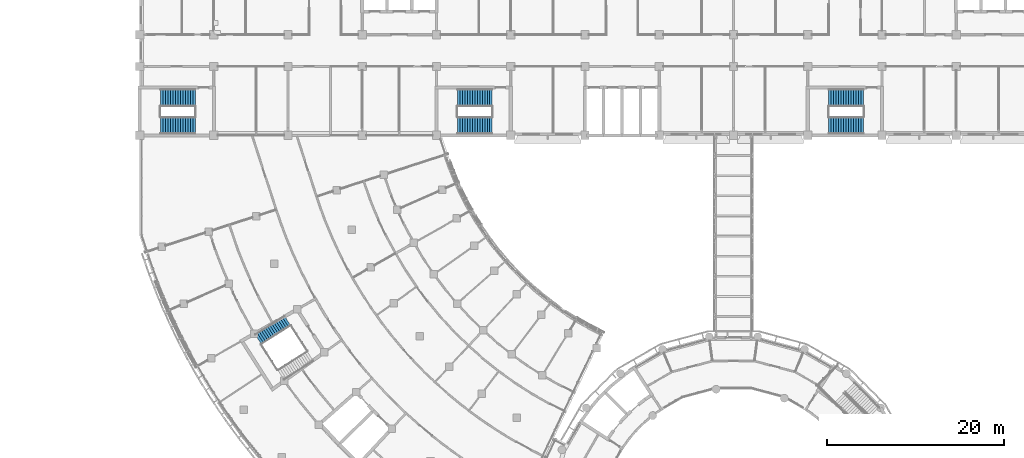
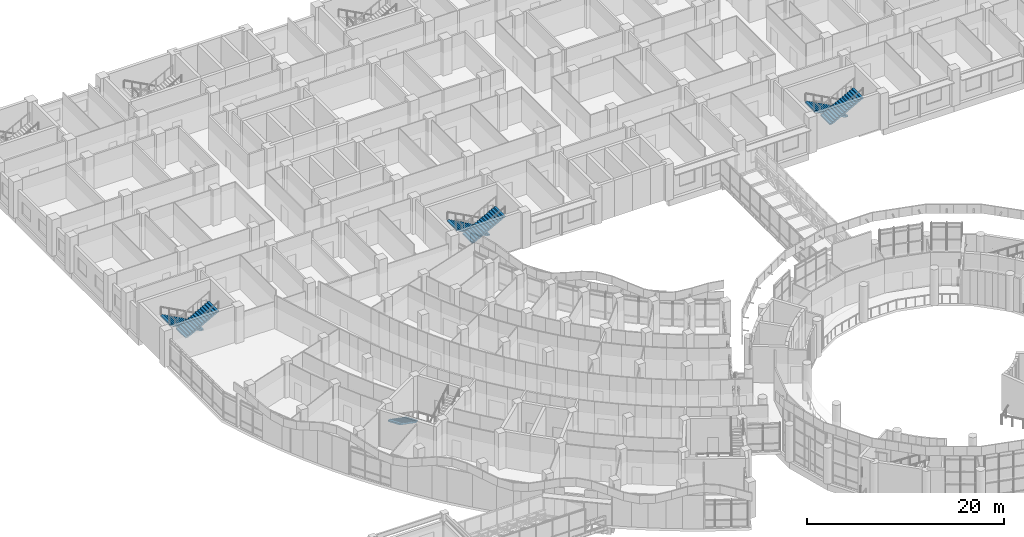
# One storey, part 94 of 136: 7 stair flights, 4 elements without a shape of their own.
"""IFC4 building model written with IfcOpenShell, lengths in metres."""

from ifc_helpers import new_model, si_unit, direction, frame, origin, place, context, subcontext, project, spatial, polyline, outline, extrude, material, type_object, element, aggregate, save


model = new_model("IFC4")

# Units and contexts
model_context = context("Model", 3, precision=1e-05, world=origin(), true_north=direction((0.0, 1.0)))
body_context = subcontext(model_context, "Body", "Model", "MODEL_VIEW")
ifc_project = project(units=[si_unit("LENGTHUNIT", "METRE"), si_unit("AREAUNIT", "SQUARE_METRE"), si_unit("VOLUMEUNIT", "CUBIC_METRE"), si_unit("PLANEANGLEUNIT", "RADIAN"), si_unit("MASSUNIT", "GRAM", prefix="KILO")], contexts=[model_context])

# Site, building, storey
site_placement = place(None, origin())
site = spatial("IfcSite", under=ifc_project, at=site_placement, CompositionType="ELEMENT")
building_placement = place(site_placement, origin())
building = spatial("IfcBuilding", under=site, at=building_placement, Name="Bougainvillea Quay General Hospital", CompositionType="ELEMENT")
storey_placement = place(building_placement, frame((0.0, 0.0, 5.39990234375)))
storey = spatial("IfcBuildingStorey", under=building, at=storey_placement, Name="L01", CompositionType="ELEMENT", Elevation=5.39990234375)

# Stair, stair flight
ifc_material = material(Name="Concrete C35", Category="concrete")
stair_type_1 = type_object("IfcStairType", Name="Stair half-turn 1350 wide", PredefinedType="HALF_TURN_STAIR", material=ifc_material)
stair_1_placement = place(storey_placement, origin())
stair_1 = element("IfcStair", 1, at=stair_1_placement, inside=storey, type_object=stair_type_1, Name="L01 stair ST-W2", PredefinedType="HALF_TURN_STAIR")
stair_flight_type_1 = type_object("IfcStairFlightType", Name="Stair flight 1350", PredefinedType="STRAIGHT", material=ifc_material)
stair_flight_1_placement = place(storey_placement, frame((58.736572265625, 96.6396484375, 0.0), z_axis=(0.0, 0.0, 1.0), x_axis=(-0.842999170031, -0.537914862526, 0.0)))
stair_flight_1 = element("IfcStairFlight", 2, at=stair_flight_1_placement, type_object=stair_flight_type_1, Name="ST-W2 flight 1", NumberOfRisers=15, NumberOfTreads=14, PredefinedType="STRAIGHT", RiserHeight=0.15, TreadLength=0.28, context=body_context, shape_type="SweptSolid", body=[
    extrude(outline(polyline([(-0.0029296875, 0.0), (-0.0029296875, 0.003662109375), (-0.0029296875, 0.00732421875), (-0.0029296875, 0.010986328125), (-0.0029296875, 0.0146484375), (-0.0029296875, 0.018310546875), (-0.0029296875, 0.02197265625), (-0.0029296875, 0.025634765625), (-0.0029296875, 0.029296875), (-0.0029296875, 0.032958984375), (-0.0029296875, 0.03662109375), (-0.0029296875, 0.040283203125), (-0.0029296875, 0.0439453125), (-0.0029296875, 0.047607421875), (-0.0029296875, 0.05126953125), (-0.0029296875, 0.054931640625), (-0.0029296875, 0.05859375), (-0.0029296875, 0.062255859375), (-0.0029296875, 0.06591796875), (-0.0029296875, 0.069580078125), (-0.0029296875, 0.0732421875), (-0.0029296875, 0.076904296875), (-0.0029296875, 0.08056640625), (-0.0029296875, 0.084228515625), (-0.0029296875, 0.087890625), (-0.0029296875, 0.091552734375), (-0.0029296875, 0.09521484375), (-0.0029296875, 0.098876953125), (-0.0029296875, 0.1025390625), (-0.0029296875, 0.106201171875), (-0.0029296875, 0.10986328125), (-0.0029296875, 0.113525390625), (-0.0029296875, 0.1171875), (-0.0029296875, 0.120849609375), (-0.0029296875, 0.12451171875), (-0.0029296875, 0.1279296875), (-0.0029296875, 0.131591796875), (-0.0029296875, 0.13525390625), (-0.0029296875, 0.138916015625), (-0.0029296875, 0.142578125), (-0.0029296875, 0.146240234375), (-0.0029296875, 0.14990234375), (0.280029296875, 0.14990234375), (0.280029296875, 0.300048828125), (0.56005859375, 0.300048828125), (0.56005859375, 0.449951171875), (0.840087890625, 0.449951171875), (0.840087890625, 0.60009765625), (1.1201171875, 0.60009765625), (1.1201171875, 0.75), (1.39990234375, 0.75), (1.39990234375, 0.89990234375), (1.679931640625, 0.89990234375), (1.679931640625, 1.050048828125), (1.9599609375, 1.050048828125), (1.9599609375, 1.199951171875), (2.239990234375, 1.199951171875), (2.239990234375, 1.35009765625), (2.52001953125, 1.35009765625), (2.52001953125, 1.5), (2.800048828125, 1.5), (2.800048828125, 1.64990234375), (3.080078125, 1.64990234375), (3.080078125, 1.800048828125), (3.360107421875, 1.800048828125), (3.360107421875, 1.949951171875), (3.639892578125, 1.949951171875), (3.639892578125, 2.10009765625), (3.923095703125, 2.10009765625), (3.923095703125, 2.095947265625), (3.923095703125, 2.091796875), (3.923095703125, 2.087646484375), (3.923095703125, 2.08349609375), (3.923095703125, 2.079345703125), (3.923095703125, 2.0751953125), (3.923095703125, 2.071044921875), (3.923095703125, 2.06689453125), (3.923095703125, 2.062744140625), (3.923095703125, 2.05859375), (3.923095703125, 2.054443359375), (3.923095703125, 2.05029296875), (3.923095703125, 2.046142578125), (3.923095703125, 2.0419921875), (3.923095703125, 2.037841796875), (3.923095703125, 2.03369140625), (3.923095703125, 2.029541015625), (3.923095703125, 2.025390625), (3.923095703125, 2.021240234375), (3.923095703125, 2.01708984375), (3.923095703125, 2.012939453125), (3.923095703125, 2.0087890625), (3.923095703125, 2.004638671875), (3.923095703125, 2.00048828125), (3.923095703125, 1.996337890625), (3.923095703125, 1.9921875), (3.923095703125, 1.988037109375), (3.923095703125, 1.98388671875), (3.923095703125, 1.979736328125), (3.923095703125, 1.9755859375), (3.923095703125, 1.971435546875), (3.923095703125, 1.96728515625), (3.923095703125, 1.963134765625), (3.923095703125, 1.958984375), (3.923095703125, 1.954833984375), (3.923095703125, 1.95068359375), (3.923095703125, 1.946533203125), (3.923095703125, 1.9423828125), (3.923095703125, 1.938232421875), (3.923095703125, 1.93408203125), (3.923095703125, 1.929931640625), (0.3173828125, 0.0), (-0.0029296875, 0.0)])), frame((0.0, 0.675048828125, 0.0), z_axis=(0.0, -1.0, 0.0), x_axis=(1.0, 0.0, 0.0)), (0.0, 0.0, 1.0), 1.35009765625),
])
aggregate(stair_1, [stair_flight_1])

# Stair, stair flights
stair_type_2 = type_object("IfcStairType", Name="Stair half-turn 1925 wide", PredefinedType="HALF_TURN_STAIR", material=ifc_material)
stair_2_placement = place(storey_placement, origin())
stair_2 = element("IfcStair", 3, at=stair_2_placement, inside=storey, type_object=stair_type_2, Name="L01 stair ST-B1", PredefinedType="HALF_TURN_STAIR")
stair_flight_type_2 = type_object("IfcStairFlightType", Name="Stair flight 1925", PredefinedType="STRAIGHT", material=ifc_material)
stair_flight_2_placement = place(storey_placement, frame((48.300048828125, 121.862548828125, 0.0), z_axis=(0.0, 0.0, 1.0), x_axis=(-1.0, 0.0, 0.0)))
stair_flight_2 = element("IfcStairFlight", 4, at=stair_flight_2_placement, type_object=stair_flight_type_2, Name="ST-B1 flight 1", NumberOfRisers=15, NumberOfTreads=14, PredefinedType="STRAIGHT", RiserHeight=0.15, TreadLength=0.28, context=body_context, shape_type="SweptSolid", body=[
    extrude(outline(polyline([(-0.0029296875, 0.0), (-0.0029296875, 0.003662109375), (-0.0029296875, 0.00732421875), (-0.0029296875, 0.010986328125), (-0.0029296875, 0.0146484375), (-0.0029296875, 0.018310546875), (-0.0029296875, 0.02197265625), (-0.0029296875, 0.025634765625), (-0.0029296875, 0.029296875), (-0.0029296875, 0.032958984375), (-0.0029296875, 0.03662109375), (-0.0029296875, 0.040283203125), (-0.0029296875, 0.0439453125), (-0.0029296875, 0.047607421875), (-0.0029296875, 0.05126953125), (-0.0029296875, 0.054931640625), (-0.0029296875, 0.05859375), (-0.0029296875, 0.062255859375), (-0.0029296875, 0.06591796875), (-0.0029296875, 0.069580078125), (-0.0029296875, 0.0732421875), (-0.0029296875, 0.076904296875), (-0.0029296875, 0.08056640625), (-0.0029296875, 0.084228515625), (-0.0029296875, 0.087890625), (-0.0029296875, 0.091552734375), (-0.0029296875, 0.09521484375), (-0.0029296875, 0.098876953125), (-0.0029296875, 0.1025390625), (-0.0029296875, 0.106201171875), (-0.0029296875, 0.10986328125), (-0.0029296875, 0.113525390625), (-0.0029296875, 0.1171875), (-0.0029296875, 0.120849609375), (-0.0029296875, 0.12451171875), (-0.0029296875, 0.1279296875), (-0.0029296875, 0.131591796875), (-0.0029296875, 0.13525390625), (-0.0029296875, 0.138916015625), (-0.0029296875, 0.142578125), (-0.0029296875, 0.146240234375), (-0.0029296875, 0.14990234375), (0.280029296875, 0.14990234375), (0.280029296875, 0.300048828125), (0.56005859375, 0.300048828125), (0.56005859375, 0.449951171875), (0.840087890625, 0.449951171875), (0.840087890625, 0.60009765625), (1.1201171875, 0.60009765625), (1.1201171875, 0.75), (1.39990234375, 0.75), (1.39990234375, 0.89990234375), (1.679931640625, 0.89990234375), (1.679931640625, 1.050048828125), (1.9599609375, 1.050048828125), (1.9599609375, 1.199951171875), (2.239990234375, 1.199951171875), (2.239990234375, 1.35009765625), (2.52001953125, 1.35009765625), (2.52001953125, 1.5), (2.800048828125, 1.5), (2.800048828125, 1.64990234375), (3.080078125, 1.64990234375), (3.080078125, 1.800048828125), (3.360107421875, 1.800048828125), (3.360107421875, 1.949951171875), (3.639892578125, 1.949951171875), (3.639892578125, 2.10009765625), (3.923095703125, 2.10009765625), (3.923095703125, 2.095947265625), (3.923095703125, 2.091796875), (3.923095703125, 2.087646484375), (3.923095703125, 2.08349609375), (3.923095703125, 2.079345703125), (3.923095703125, 2.0751953125), (3.923095703125, 2.071044921875), (3.923095703125, 2.06689453125), (3.923095703125, 2.062744140625), (3.923095703125, 2.05859375), (3.923095703125, 2.054443359375), (3.923095703125, 2.05029296875), (3.923095703125, 2.046142578125), (3.923095703125, 2.0419921875), (3.923095703125, 2.037841796875), (3.923095703125, 2.03369140625), (3.923095703125, 2.029541015625), (3.923095703125, 2.025390625), (3.923095703125, 2.021240234375), (3.923095703125, 2.01708984375), (3.923095703125, 2.012939453125), (3.923095703125, 2.0087890625), (3.923095703125, 2.004638671875), (3.923095703125, 2.00048828125), (3.923095703125, 1.996337890625), (3.923095703125, 1.9921875), (3.923095703125, 1.988037109375), (3.923095703125, 1.98388671875), (3.923095703125, 1.979736328125), (3.923095703125, 1.9755859375), (3.923095703125, 1.971435546875), (3.923095703125, 1.96728515625), (3.923095703125, 1.963134765625), (3.923095703125, 1.958984375), (3.923095703125, 1.954833984375), (3.923095703125, 1.95068359375), (3.923095703125, 1.946533203125), (3.923095703125, 1.9423828125), (3.923095703125, 1.938232421875), (3.923095703125, 1.93408203125), (3.923095703125, 1.929931640625), (0.3173828125, 0.0), (-0.0029296875, 0.0)])), frame((0.0, 0.96240234375, 0.0), z_axis=(0.0, -1.0, 0.0), x_axis=(1.0, 0.0, 0.0)), (0.0, 0.0, 1.0), 1.925048828125),
])
stair_flight_3_placement = place(storey_placement, frame((44.3798828125, 118.737548828125, 2.25), z_axis=(0.0, 0.0, 1.0), x_axis=(1.0, 0.0, 0.0)))
stair_flight_3 = element("IfcStairFlight", 5, at=stair_flight_3_placement, type_object=stair_flight_type_2, Name="ST-B1 flight 2", NumberOfRisers=15, NumberOfTreads=14, PredefinedType="STRAIGHT", RiserHeight=0.15, TreadLength=0.28, context=body_context, shape_type="SweptSolid", body=[
    extrude(outline(polyline([(-0.0029296875, 0.0), (-0.0029296875, 0.003662109375), (-0.0029296875, 0.00732421875), (-0.0029296875, 0.010986328125), (-0.0029296875, 0.0146484375), (-0.0029296875, 0.018310546875), (-0.0029296875, 0.02197265625), (-0.0029296875, 0.025634765625), (-0.0029296875, 0.029296875), (-0.0029296875, 0.032958984375), (-0.0029296875, 0.03662109375), (-0.0029296875, 0.040283203125), (-0.0029296875, 0.0439453125), (-0.0029296875, 0.047607421875), (-0.0029296875, 0.05126953125), (-0.0029296875, 0.054931640625), (-0.0029296875, 0.05859375), (-0.0029296875, 0.062255859375), (-0.0029296875, 0.06591796875), (-0.0029296875, 0.069580078125), (-0.0029296875, 0.0732421875), (-0.0029296875, 0.076904296875), (-0.0029296875, 0.08056640625), (-0.0029296875, 0.084228515625), (-0.0029296875, 0.087890625), (-0.0029296875, 0.091552734375), (-0.0029296875, 0.09521484375), (-0.0029296875, 0.098876953125), (-0.0029296875, 0.1025390625), (-0.0029296875, 0.106201171875), (-0.0029296875, 0.10986328125), (-0.0029296875, 0.113525390625), (-0.0029296875, 0.1171875), (-0.0029296875, 0.120849609375), (-0.0029296875, 0.12451171875), (-0.0029296875, 0.1279296875), (-0.0029296875, 0.131591796875), (-0.0029296875, 0.13525390625), (-0.0029296875, 0.138916015625), (-0.0029296875, 0.142578125), (-0.0029296875, 0.146240234375), (-0.0029296875, 0.14990234375), (0.280029296875, 0.14990234375), (0.280029296875, 0.300048828125), (0.56005859375, 0.300048828125), (0.56005859375, 0.449951171875), (0.840087890625, 0.449951171875), (0.840087890625, 0.60009765625), (1.1201171875, 0.60009765625), (1.1201171875, 0.75), (1.39990234375, 0.75), (1.39990234375, 0.89990234375), (1.679931640625, 0.89990234375), (1.679931640625, 1.050048828125), (1.9599609375, 1.050048828125), (1.9599609375, 1.199951171875), (2.239990234375, 1.199951171875), (2.239990234375, 1.35009765625), (2.52001953125, 1.35009765625), (2.52001953125, 1.5), (2.800048828125, 1.5), (2.800048828125, 1.64990234375), (3.080078125, 1.64990234375), (3.080078125, 1.800048828125), (3.360107421875, 1.800048828125), (3.360107421875, 1.949951171875), (3.639892578125, 1.949951171875), (3.639892578125, 2.10009765625), (3.923095703125, 2.10009765625), (3.923095703125, 2.095947265625), (3.923095703125, 2.091796875), (3.923095703125, 2.087646484375), (3.923095703125, 2.08349609375), (3.923095703125, 2.079345703125), (3.923095703125, 2.0751953125), (3.923095703125, 2.071044921875), (3.923095703125, 2.06689453125), (3.923095703125, 2.062744140625), (3.923095703125, 2.05859375), (3.923095703125, 2.054443359375), (3.923095703125, 2.05029296875), (3.923095703125, 2.046142578125), (3.923095703125, 2.0419921875), (3.923095703125, 2.037841796875), (3.923095703125, 2.03369140625), (3.923095703125, 2.029541015625), (3.923095703125, 2.025390625), (3.923095703125, 2.021240234375), (3.923095703125, 2.01708984375), (3.923095703125, 2.012939453125), (3.923095703125, 2.0087890625), (3.923095703125, 2.004638671875), (3.923095703125, 2.00048828125), (3.923095703125, 1.996337890625), (3.923095703125, 1.9921875), (3.923095703125, 1.988037109375), (3.923095703125, 1.98388671875), (3.923095703125, 1.979736328125), (3.923095703125, 1.9755859375), (3.923095703125, 1.971435546875), (3.923095703125, 1.96728515625), (3.923095703125, 1.963134765625), (3.923095703125, 1.958984375), (3.923095703125, 1.954833984375), (3.923095703125, 1.95068359375), (3.923095703125, 1.946533203125), (3.923095703125, 1.9423828125), (3.923095703125, 1.938232421875), (3.923095703125, 1.93408203125), (3.923095703125, 1.929931640625), (0.3173828125, 0.0), (-0.0029296875, 0.0)])), frame((0.0, 0.96240234375, 0.0), z_axis=(0.0, -1.0, 0.0), x_axis=(1.0, 0.0, 0.0)), (0.0, 0.0, 1.0), 1.925048828125),
])
aggregate(stair_2, [stair_flight_2, stair_flight_3])

stair_3_placement = place(storey_placement, origin())
stair_3 = element("IfcStair", 6, at=stair_3_placement, inside=storey, type_object=stair_type_2, Name="L01 stair ST-B2", PredefinedType="HALF_TURN_STAIR")
stair_flight_4_placement = place(storey_placement, frame((81.89990234375, 121.862548828125, 0.0), z_axis=(0.0, 0.0, 1.0), x_axis=(-1.0, 0.0, 0.0)))
stair_flight_4 = element("IfcStairFlight", 7, at=stair_flight_4_placement, type_object=stair_flight_type_2, Name="ST-B2 flight 1", NumberOfRisers=15, NumberOfTreads=14, PredefinedType="STRAIGHT", RiserHeight=0.15, TreadLength=0.28, context=body_context, shape_type="SweptSolid", body=[
    extrude(outline(polyline([(-0.0029296875, 0.0), (-0.0029296875, 0.003662109375), (-0.0029296875, 0.00732421875), (-0.0029296875, 0.010986328125), (-0.0029296875, 0.0146484375), (-0.0029296875, 0.018310546875), (-0.0029296875, 0.02197265625), (-0.0029296875, 0.025634765625), (-0.0029296875, 0.029296875), (-0.0029296875, 0.032958984375), (-0.0029296875, 0.03662109375), (-0.0029296875, 0.040283203125), (-0.0029296875, 0.0439453125), (-0.0029296875, 0.047607421875), (-0.0029296875, 0.05126953125), (-0.0029296875, 0.054931640625), (-0.0029296875, 0.05859375), (-0.0029296875, 0.062255859375), (-0.0029296875, 0.06591796875), (-0.0029296875, 0.069580078125), (-0.0029296875, 0.0732421875), (-0.0029296875, 0.076904296875), (-0.0029296875, 0.08056640625), (-0.0029296875, 0.084228515625), (-0.0029296875, 0.087890625), (-0.0029296875, 0.091552734375), (-0.0029296875, 0.09521484375), (-0.0029296875, 0.098876953125), (-0.0029296875, 0.1025390625), (-0.0029296875, 0.106201171875), (-0.0029296875, 0.10986328125), (-0.0029296875, 0.113525390625), (-0.0029296875, 0.1171875), (-0.0029296875, 0.120849609375), (-0.0029296875, 0.12451171875), (-0.0029296875, 0.1279296875), (-0.0029296875, 0.131591796875), (-0.0029296875, 0.13525390625), (-0.0029296875, 0.138916015625), (-0.0029296875, 0.142578125), (-0.0029296875, 0.146240234375), (-0.0029296875, 0.14990234375), (0.280029296875, 0.14990234375), (0.280029296875, 0.300048828125), (0.56005859375, 0.300048828125), (0.56005859375, 0.449951171875), (0.840087890625, 0.449951171875), (0.840087890625, 0.60009765625), (1.1201171875, 0.60009765625), (1.1201171875, 0.75), (1.39990234375, 0.75), (1.39990234375, 0.89990234375), (1.679931640625, 0.89990234375), (1.679931640625, 1.050048828125), (1.9599609375, 1.050048828125), (1.9599609375, 1.199951171875), (2.239990234375, 1.199951171875), (2.239990234375, 1.35009765625), (2.52001953125, 1.35009765625), (2.52001953125, 1.5), (2.800048828125, 1.5), (2.800048828125, 1.64990234375), (3.080078125, 1.64990234375), (3.080078125, 1.800048828125), (3.360107421875, 1.800048828125), (3.360107421875, 1.949951171875), (3.639892578125, 1.949951171875), (3.639892578125, 2.10009765625), (3.923095703125, 2.10009765625), (3.923095703125, 2.095947265625), (3.923095703125, 2.091796875), (3.923095703125, 2.087646484375), (3.923095703125, 2.08349609375), (3.923095703125, 2.079345703125), (3.923095703125, 2.0751953125), (3.923095703125, 2.071044921875), (3.923095703125, 2.06689453125), (3.923095703125, 2.062744140625), (3.923095703125, 2.05859375), (3.923095703125, 2.054443359375), (3.923095703125, 2.05029296875), (3.923095703125, 2.046142578125), (3.923095703125, 2.0419921875), (3.923095703125, 2.037841796875), (3.923095703125, 2.03369140625), (3.923095703125, 2.029541015625), (3.923095703125, 2.025390625), (3.923095703125, 2.021240234375), (3.923095703125, 2.01708984375), (3.923095703125, 2.012939453125), (3.923095703125, 2.0087890625), (3.923095703125, 2.004638671875), (3.923095703125, 2.00048828125), (3.923095703125, 1.996337890625), (3.923095703125, 1.9921875), (3.923095703125, 1.988037109375), (3.923095703125, 1.98388671875), (3.923095703125, 1.979736328125), (3.923095703125, 1.9755859375), (3.923095703125, 1.971435546875), (3.923095703125, 1.96728515625), (3.923095703125, 1.963134765625), (3.923095703125, 1.958984375), (3.923095703125, 1.954833984375), (3.923095703125, 1.95068359375), (3.923095703125, 1.946533203125), (3.923095703125, 1.9423828125), (3.923095703125, 1.938232421875), (3.923095703125, 1.93408203125), (3.923095703125, 1.929931640625), (0.3173828125, 0.0), (-0.0029296875, 0.0)])), frame((0.0, 0.96240234375, 0.0), z_axis=(0.0, -1.0, 0.0), x_axis=(1.0, 0.0, 0.0)), (0.0, 0.0, 1.0), 1.925048828125),
])
stair_flight_5_placement = place(storey_placement, frame((77.97998046875, 118.737548828125, 2.25), z_axis=(0.0, 0.0, 1.0), x_axis=(1.0, 0.0, 0.0)))
stair_flight_5 = element("IfcStairFlight", 8, at=stair_flight_5_placement, type_object=stair_flight_type_2, Name="ST-B2 flight 2", NumberOfRisers=15, NumberOfTreads=14, PredefinedType="STRAIGHT", RiserHeight=0.15, TreadLength=0.28, context=body_context, shape_type="SweptSolid", body=[
    extrude(outline(polyline([(-0.0029296875, 0.0), (-0.0029296875, 0.003662109375), (-0.0029296875, 0.00732421875), (-0.0029296875, 0.010986328125), (-0.0029296875, 0.0146484375), (-0.0029296875, 0.018310546875), (-0.0029296875, 0.02197265625), (-0.0029296875, 0.025634765625), (-0.0029296875, 0.029296875), (-0.0029296875, 0.032958984375), (-0.0029296875, 0.03662109375), (-0.0029296875, 0.040283203125), (-0.0029296875, 0.0439453125), (-0.0029296875, 0.047607421875), (-0.0029296875, 0.05126953125), (-0.0029296875, 0.054931640625), (-0.0029296875, 0.05859375), (-0.0029296875, 0.062255859375), (-0.0029296875, 0.06591796875), (-0.0029296875, 0.069580078125), (-0.0029296875, 0.0732421875), (-0.0029296875, 0.076904296875), (-0.0029296875, 0.08056640625), (-0.0029296875, 0.084228515625), (-0.0029296875, 0.087890625), (-0.0029296875, 0.091552734375), (-0.0029296875, 0.09521484375), (-0.0029296875, 0.098876953125), (-0.0029296875, 0.1025390625), (-0.0029296875, 0.106201171875), (-0.0029296875, 0.10986328125), (-0.0029296875, 0.113525390625), (-0.0029296875, 0.1171875), (-0.0029296875, 0.120849609375), (-0.0029296875, 0.12451171875), (-0.0029296875, 0.1279296875), (-0.0029296875, 0.131591796875), (-0.0029296875, 0.13525390625), (-0.0029296875, 0.138916015625), (-0.0029296875, 0.142578125), (-0.0029296875, 0.146240234375), (-0.0029296875, 0.14990234375), (0.280029296875, 0.14990234375), (0.280029296875, 0.300048828125), (0.56005859375, 0.300048828125), (0.56005859375, 0.449951171875), (0.840087890625, 0.449951171875), (0.840087890625, 0.60009765625), (1.1201171875, 0.60009765625), (1.1201171875, 0.75), (1.39990234375, 0.75), (1.39990234375, 0.89990234375), (1.679931640625, 0.89990234375), (1.679931640625, 1.050048828125), (1.9599609375, 1.050048828125), (1.9599609375, 1.199951171875), (2.239990234375, 1.199951171875), (2.239990234375, 1.35009765625), (2.52001953125, 1.35009765625), (2.52001953125, 1.5), (2.800048828125, 1.5), (2.800048828125, 1.64990234375), (3.080078125, 1.64990234375), (3.080078125, 1.800048828125), (3.360107421875, 1.800048828125), (3.360107421875, 1.949951171875), (3.639892578125, 1.949951171875), (3.639892578125, 2.10009765625), (3.923095703125, 2.10009765625), (3.923095703125, 2.095947265625), (3.923095703125, 2.091796875), (3.923095703125, 2.087646484375), (3.923095703125, 2.08349609375), (3.923095703125, 2.079345703125), (3.923095703125, 2.0751953125), (3.923095703125, 2.071044921875), (3.923095703125, 2.06689453125), (3.923095703125, 2.062744140625), (3.923095703125, 2.05859375), (3.923095703125, 2.054443359375), (3.923095703125, 2.05029296875), (3.923095703125, 2.046142578125), (3.923095703125, 2.0419921875), (3.923095703125, 2.037841796875), (3.923095703125, 2.03369140625), (3.923095703125, 2.029541015625), (3.923095703125, 2.025390625), (3.923095703125, 2.021240234375), (3.923095703125, 2.01708984375), (3.923095703125, 2.012939453125), (3.923095703125, 2.0087890625), (3.923095703125, 2.004638671875), (3.923095703125, 2.00048828125), (3.923095703125, 1.996337890625), (3.923095703125, 1.9921875), (3.923095703125, 1.988037109375), (3.923095703125, 1.98388671875), (3.923095703125, 1.979736328125), (3.923095703125, 1.9755859375), (3.923095703125, 1.971435546875), (3.923095703125, 1.96728515625), (3.923095703125, 1.963134765625), (3.923095703125, 1.958984375), (3.923095703125, 1.954833984375), (3.923095703125, 1.95068359375), (3.923095703125, 1.946533203125), (3.923095703125, 1.9423828125), (3.923095703125, 1.938232421875), (3.923095703125, 1.93408203125), (3.923095703125, 1.929931640625), (0.3173828125, 0.0), (-0.0029296875, 0.0)])), frame((0.0, 0.96240234375, 0.0), z_axis=(0.0, -1.0, 0.0), x_axis=(1.0, 0.0, 0.0)), (0.0, 0.0, 1.0), 1.925048828125),
])
aggregate(stair_3, [stair_flight_4, stair_flight_5])

stair_4_placement = place(storey_placement, origin())
stair_4 = element("IfcStair", 9, at=stair_4_placement, inside=storey, type_object=stair_type_2, Name="L01 stair ST-B3", PredefinedType="HALF_TURN_STAIR")
stair_flight_6_placement = place(storey_placement, frame((123.89990234375, 121.862548828125, 0.0), z_axis=(0.0, 0.0, 1.0), x_axis=(-1.0, 0.0, 0.0)))
stair_flight_6 = element("IfcStairFlight", 10, at=stair_flight_6_placement, type_object=stair_flight_type_2, Name="ST-B3 flight 1", NumberOfRisers=15, NumberOfTreads=14, PredefinedType="STRAIGHT", RiserHeight=0.15, TreadLength=0.28, context=body_context, shape_type="SweptSolid", body=[
    extrude(outline(polyline([(-0.0029296875, 0.0), (-0.0029296875, 0.003662109375), (-0.0029296875, 0.00732421875), (-0.0029296875, 0.010986328125), (-0.0029296875, 0.0146484375), (-0.0029296875, 0.018310546875), (-0.0029296875, 0.02197265625), (-0.0029296875, 0.025634765625), (-0.0029296875, 0.029296875), (-0.0029296875, 0.032958984375), (-0.0029296875, 0.03662109375), (-0.0029296875, 0.040283203125), (-0.0029296875, 0.0439453125), (-0.0029296875, 0.047607421875), (-0.0029296875, 0.05126953125), (-0.0029296875, 0.054931640625), (-0.0029296875, 0.05859375), (-0.0029296875, 0.062255859375), (-0.0029296875, 0.06591796875), (-0.0029296875, 0.069580078125), (-0.0029296875, 0.0732421875), (-0.0029296875, 0.076904296875), (-0.0029296875, 0.08056640625), (-0.0029296875, 0.084228515625), (-0.0029296875, 0.087890625), (-0.0029296875, 0.091552734375), (-0.0029296875, 0.09521484375), (-0.0029296875, 0.098876953125), (-0.0029296875, 0.1025390625), (-0.0029296875, 0.106201171875), (-0.0029296875, 0.10986328125), (-0.0029296875, 0.113525390625), (-0.0029296875, 0.1171875), (-0.0029296875, 0.120849609375), (-0.0029296875, 0.12451171875), (-0.0029296875, 0.1279296875), (-0.0029296875, 0.131591796875), (-0.0029296875, 0.13525390625), (-0.0029296875, 0.138916015625), (-0.0029296875, 0.142578125), (-0.0029296875, 0.146240234375), (-0.0029296875, 0.14990234375), (0.280029296875, 0.14990234375), (0.280029296875, 0.300048828125), (0.56005859375, 0.300048828125), (0.56005859375, 0.449951171875), (0.840087890625, 0.449951171875), (0.840087890625, 0.60009765625), (1.1201171875, 0.60009765625), (1.1201171875, 0.75), (1.39990234375, 0.75), (1.39990234375, 0.89990234375), (1.679931640625, 0.89990234375), (1.679931640625, 1.050048828125), (1.9599609375, 1.050048828125), (1.9599609375, 1.199951171875), (2.239990234375, 1.199951171875), (2.239990234375, 1.35009765625), (2.52001953125, 1.35009765625), (2.52001953125, 1.5), (2.800048828125, 1.5), (2.800048828125, 1.64990234375), (3.080078125, 1.64990234375), (3.080078125, 1.800048828125), (3.360107421875, 1.800048828125), (3.360107421875, 1.949951171875), (3.639892578125, 1.949951171875), (3.639892578125, 2.10009765625), (3.923095703125, 2.10009765625), (3.923095703125, 2.095947265625), (3.923095703125, 2.091796875), (3.923095703125, 2.087646484375), (3.923095703125, 2.08349609375), (3.923095703125, 2.079345703125), (3.923095703125, 2.0751953125), (3.923095703125, 2.071044921875), (3.923095703125, 2.06689453125), (3.923095703125, 2.062744140625), (3.923095703125, 2.05859375), (3.923095703125, 2.054443359375), (3.923095703125, 2.05029296875), (3.923095703125, 2.046142578125), (3.923095703125, 2.0419921875), (3.923095703125, 2.037841796875), (3.923095703125, 2.03369140625), (3.923095703125, 2.029541015625), (3.923095703125, 2.025390625), (3.923095703125, 2.021240234375), (3.923095703125, 2.01708984375), (3.923095703125, 2.012939453125), (3.923095703125, 2.0087890625), (3.923095703125, 2.004638671875), (3.923095703125, 2.00048828125), (3.923095703125, 1.996337890625), (3.923095703125, 1.9921875), (3.923095703125, 1.988037109375), (3.923095703125, 1.98388671875), (3.923095703125, 1.979736328125), (3.923095703125, 1.9755859375), (3.923095703125, 1.971435546875), (3.923095703125, 1.96728515625), (3.923095703125, 1.963134765625), (3.923095703125, 1.958984375), (3.923095703125, 1.954833984375), (3.923095703125, 1.95068359375), (3.923095703125, 1.946533203125), (3.923095703125, 1.9423828125), (3.923095703125, 1.938232421875), (3.923095703125, 1.93408203125), (3.923095703125, 1.929931640625), (0.3173828125, 0.0), (-0.0029296875, 0.0)])), frame((0.0, 0.96240234375, 0.0), z_axis=(0.0, -1.0, 0.0), x_axis=(1.0, 0.0, 0.0)), (0.0, 0.0, 1.0), 1.925048828125),
])
stair_flight_7_placement = place(storey_placement, frame((119.97998046875, 118.737548828125, 2.25), z_axis=(0.0, 0.0, 1.0), x_axis=(1.0, 0.0, 0.0)))
stair_flight_7 = element("IfcStairFlight", 11, at=stair_flight_7_placement, type_object=stair_flight_type_2, Name="ST-B3 flight 2", NumberOfRisers=15, NumberOfTreads=14, PredefinedType="STRAIGHT", RiserHeight=0.15, TreadLength=0.28, context=body_context, shape_type="SweptSolid", body=[
    extrude(outline(polyline([(-0.0029296875, 0.0), (-0.0029296875, 0.003662109375), (-0.0029296875, 0.00732421875), (-0.0029296875, 0.010986328125), (-0.0029296875, 0.0146484375), (-0.0029296875, 0.018310546875), (-0.0029296875, 0.02197265625), (-0.0029296875, 0.025634765625), (-0.0029296875, 0.029296875), (-0.0029296875, 0.032958984375), (-0.0029296875, 0.03662109375), (-0.0029296875, 0.040283203125), (-0.0029296875, 0.0439453125), (-0.0029296875, 0.047607421875), (-0.0029296875, 0.05126953125), (-0.0029296875, 0.054931640625), (-0.0029296875, 0.05859375), (-0.0029296875, 0.062255859375), (-0.0029296875, 0.06591796875), (-0.0029296875, 0.069580078125), (-0.0029296875, 0.0732421875), (-0.0029296875, 0.076904296875), (-0.0029296875, 0.08056640625), (-0.0029296875, 0.084228515625), (-0.0029296875, 0.087890625), (-0.0029296875, 0.091552734375), (-0.0029296875, 0.09521484375), (-0.0029296875, 0.098876953125), (-0.0029296875, 0.1025390625), (-0.0029296875, 0.106201171875), (-0.0029296875, 0.10986328125), (-0.0029296875, 0.113525390625), (-0.0029296875, 0.1171875), (-0.0029296875, 0.120849609375), (-0.0029296875, 0.12451171875), (-0.0029296875, 0.1279296875), (-0.0029296875, 0.131591796875), (-0.0029296875, 0.13525390625), (-0.0029296875, 0.138916015625), (-0.0029296875, 0.142578125), (-0.0029296875, 0.146240234375), (-0.0029296875, 0.14990234375), (0.280029296875, 0.14990234375), (0.280029296875, 0.300048828125), (0.56005859375, 0.300048828125), (0.56005859375, 0.449951171875), (0.840087890625, 0.449951171875), (0.840087890625, 0.60009765625), (1.1201171875, 0.60009765625), (1.1201171875, 0.75), (1.39990234375, 0.75), (1.39990234375, 0.89990234375), (1.679931640625, 0.89990234375), (1.679931640625, 1.050048828125), (1.9599609375, 1.050048828125), (1.9599609375, 1.199951171875), (2.239990234375, 1.199951171875), (2.239990234375, 1.35009765625), (2.52001953125, 1.35009765625), (2.52001953125, 1.5), (2.800048828125, 1.5), (2.800048828125, 1.64990234375), (3.080078125, 1.64990234375), (3.080078125, 1.800048828125), (3.360107421875, 1.800048828125), (3.360107421875, 1.949951171875), (3.639892578125, 1.949951171875), (3.639892578125, 2.10009765625), (3.923095703125, 2.10009765625), (3.923095703125, 2.095947265625), (3.923095703125, 2.091796875), (3.923095703125, 2.087646484375), (3.923095703125, 2.08349609375), (3.923095703125, 2.079345703125), (3.923095703125, 2.0751953125), (3.923095703125, 2.071044921875), (3.923095703125, 2.06689453125), (3.923095703125, 2.062744140625), (3.923095703125, 2.05859375), (3.923095703125, 2.054443359375), (3.923095703125, 2.05029296875), (3.923095703125, 2.046142578125), (3.923095703125, 2.0419921875), (3.923095703125, 2.037841796875), (3.923095703125, 2.03369140625), (3.923095703125, 2.029541015625), (3.923095703125, 2.025390625), (3.923095703125, 2.021240234375), (3.923095703125, 2.01708984375), (3.923095703125, 2.012939453125), (3.923095703125, 2.0087890625), (3.923095703125, 2.004638671875), (3.923095703125, 2.00048828125), (3.923095703125, 1.996337890625), (3.923095703125, 1.9921875), (3.923095703125, 1.988037109375), (3.923095703125, 1.98388671875), (3.923095703125, 1.979736328125), (3.923095703125, 1.9755859375), (3.923095703125, 1.971435546875), (3.923095703125, 1.96728515625), (3.923095703125, 1.963134765625), (3.923095703125, 1.958984375), (3.923095703125, 1.954833984375), (3.923095703125, 1.95068359375), (3.923095703125, 1.946533203125), (3.923095703125, 1.9423828125), (3.923095703125, 1.938232421875), (3.923095703125, 1.93408203125), (3.923095703125, 1.929931640625), (0.3173828125, 0.0), (-0.0029296875, 0.0)])), frame((0.0, 0.96240234375, 0.0), z_axis=(0.0, -1.0, 0.0), x_axis=(1.0, 0.0, 0.0)), (0.0, 0.0, 1.0), 1.925048828125),
])
aggregate(stair_4, [stair_flight_6, stair_flight_7])

save(model, "model.ifc")
